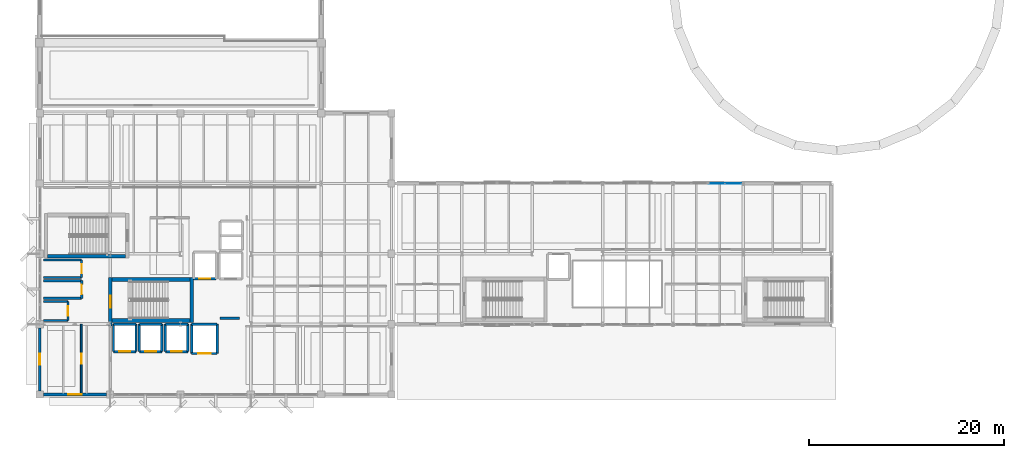
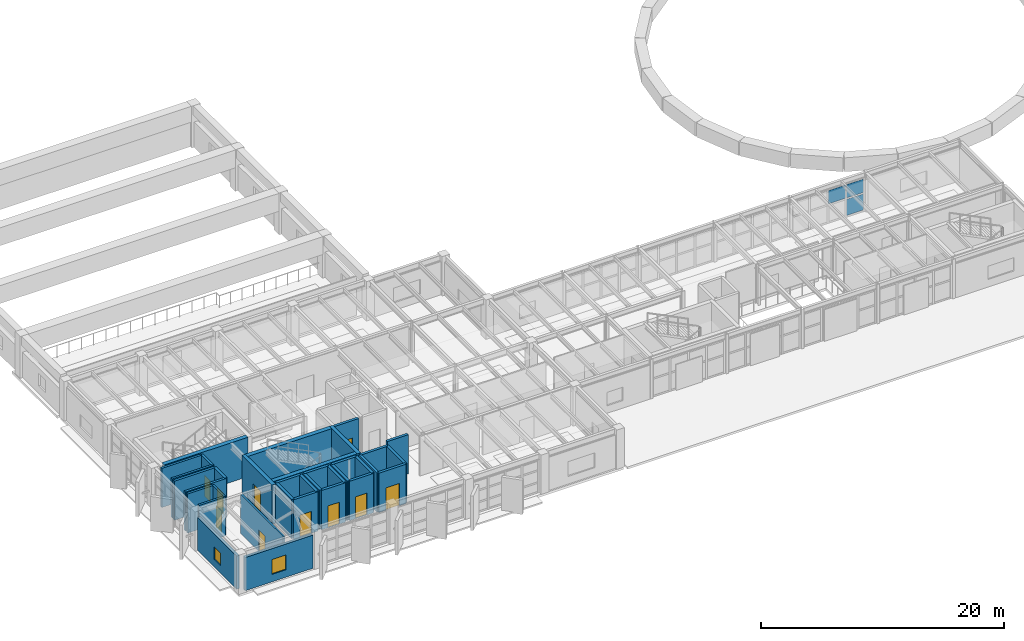
# One storey, part 25 of 37: 35 walls, 10 doors, 3 plates, 2 windows, 12 openings, 1 element without a shape of its own.
"""IFC4 building model written with IfcOpenShell, lengths in metres."""

from ifc_helpers import new_model, si_unit, direction, frame, frame_2d, origin, origin_2d, place, context, subcontext, project, spatial, rectangle, extrude, material, layer, layer_set, type_object, element, fill, aggregate, save


model = new_model("IFC4")

# Units and contexts
model_context = context("Model", 3, precision=1e-05, world=origin(), true_north=direction((0.0, 1.0)))
body_context = subcontext(model_context, "Body", "Model", "MODEL_VIEW")
ifc_project = project(units=[si_unit("LENGTHUNIT", "METRE"), si_unit("AREAUNIT", "SQUARE_METRE"), si_unit("VOLUMEUNIT", "CUBIC_METRE"), si_unit("PLANEANGLEUNIT", "RADIAN"), si_unit("MASSUNIT", "GRAM", prefix="KILO")], contexts=[model_context])

# Site, building, storey
site_placement = place(None, origin())
site = spatial("IfcSite", under=ifc_project, at=site_placement, CompositionType="ELEMENT")
building_placement = place(site_placement, origin())
building = spatial("IfcBuilding", under=site, at=building_placement, Name="Kandorven Conservatory and Botanical Research Centre", CompositionType="ELEMENT")
storey_placement = place(building_placement, frame((0.0, 0.0, 9.0)))
storey = spatial("IfcBuildingStorey", under=building, at=storey_placement, Name="L02", CompositionType="ELEMENT", Elevation=9.0)

# Curtain wall, plates
ifc_material_1 = material(Name="Bronze anodised thermally broken aluminium", Category="aluminium")
ifc_layer_1 = layer(ifc_material_1, 0.179931640625)
ifc_layer_set_1 = layer_set([ifc_layer_1], Name="Bronze anodised thermally broken aluminium")
curtain_wall_type = type_object("IfcCurtainWallType", Name="CW_Unitised", PredefinedType="USERDEFINED", material=ifc_layer_set_1)
curtain_wall_placement = place(storey_placement, origin())
curtain_wall = element("IfcCurtainWall", 1, at=curtain_wall_placement, inside=storey, type_object=curtain_wall_type, Name="Visitor wing unitised curtain wall CW-VIS-N-L02-5", ObjectType="UNITISED GLAZING", PredefinedType="USERDEFINED")
ifc_material_2 = material(Name="Double-glazed solar-control low-E glass", Category="glass")
ifc_layer_2 = layer(ifc_material_2, 0.028076171875)
ifc_layer_set_2 = layer_set([ifc_layer_2], Name="Double-glazed solar-control low-E glass")
plate_type = type_object("IfcPlateType", Name="CW_Panel", PredefinedType="CURTAIN_PANEL", material=ifc_layer_set_2)
plate_1_placement = place(storey_placement, frame((75.268798828125, 27.60009765625, 1.9248046875), z_axis=(0.0, 0.0, 1.0), x_axis=(1.0, 0.0, 0.0)))
plate_1 = element("IfcPlate", 2, at=plate_1_placement, type_object=plate_type, Name="CW-01 panel 3.2", PredefinedType="CURTAIN_PANEL", context=body_context, shape_type="SweptSolid", body=[
    extrude(rectangle(XDim=1.657470703125, YDim=0.028076171875, at=origin_2d()), origin(), (0.0, 0.0, 1.0), 1.344970703125),
])
plate_2_placement = place(storey_placement, frame((76.986328125, 27.60009765625, 0.14990234375), z_axis=(0.0, 0.0, 1.0), x_axis=(1.0, 0.0, 0.0)))
plate_2 = element("IfcPlate", 3, at=plate_2_placement, type_object=plate_type, Name="CW-01 panel 4.1", PredefinedType="CURTAIN_PANEL", context=body_context, shape_type="SweptSolid", body=[
    extrude(rectangle(XDim=1.617431640625, YDim=0.028076171875, at=origin_2d()), origin(), (0.0, 0.0, 1.0), 1.625),
])
plate_3_placement = place(storey_placement, frame((76.986328125, 27.60009765625, 1.9248046875), z_axis=(0.0, 0.0, 1.0), x_axis=(1.0, 0.0, 0.0)))
plate_3 = element("IfcPlate", 4, at=plate_3_placement, type_object=plate_type, Name="CW-01 panel 4.2", PredefinedType="CURTAIN_PANEL", context=body_context, shape_type="SweptSolid", body=[
    extrude(rectangle(XDim=1.617431640625, YDim=0.028076171875, at=origin_2d()), origin(), (0.0, 0.0, 1.0), 1.344970703125),
])
aggregate(curtain_wall, [plate_1, plate_2, plate_3])

# Walls
ifc_material_3 = material(Name="Concrete C40/50 (M50)", Category="concrete")
ifc_layer_3 = layer(ifc_material_3, 0.39990234375)
ifc_layer_set_3 = layer_set([ifc_layer_3], Name="Concrete C40/50 (M50)")
wall_type_1 = type_object("IfcWallType", Name="Wall_CW-RC-1", PredefinedType="SHEAR", material=ifc_layer_set_3)
for number, where, z_axis, x_axis, name in (
    (5, (13.39990234375, 13.574951171875, 0.0), (0.0, 0.0, 1.0), (1.0, 0.0, 0.0), "Core stair shear wall CW-RC-1 ST-T1 L02 side A"),
    (6, (13.39990234375, 17.77490234375, 0.0), (0.0, 0.0, 1.0), (1.0, 0.0, 0.0), "Core stair shear wall CW-RC-1 ST-T1 L02 side B"),
    (7, (14.800048828125, 20.155029296875, 0.0), (0.0, 0.0, 1.0), (-1.0, 0.0, 0.0), "Core stair shear wall CW-RC-1 ST-T2 L02 side B"),
):
    element("IfcWall", number, at=place(storey_placement, frame(where, z_axis=z_axis, x_axis=x_axis)), inside=storey, type_object=wall_type_1, Name=name, PredefinedType="SHEAR", context=body_context, shape_type="SweptSolid", body=[
        extrude(rectangle(XDim=7.97998046875, YDim=0.39990234375, at=frame_2d((3.989990234375, 0.0))), origin(), (0.0, 0.0, 1.0), 3.9599609375),
    ])

# Wall, opening, door
ifc_material_4 = material(Name="Concrete C40/50 (M50)", Category="concrete")
ifc_layer_4 = layer(ifc_material_4, 0.35009765625)
ifc_layer_set_4 = layer_set([ifc_layer_4], Name="Concrete C40/50 (M50)")
wall_type_2 = type_object("IfcWallType", Name="Wall_CW-RC-2", PredefinedType="SHEAR", material=ifc_layer_set_4)
wall_1_placement = place(storey_placement, frame((13.22509765625, 13.0, 0.0), z_axis=(0.0, 0.0, 1.0), x_axis=(0.0, 1.0, 0.0)))
wall_1 = element("IfcWall", 8, at=wall_1_placement, inside=storey, type_object=wall_type_2, Name="Core stair shear wall CW-RC-2 ST-T1 L02 entry", PredefinedType="SHEAR", context=body_context, shape_type="SweptSolid", body=[
    extrude(rectangle(XDim=4.969970703125, YDim=0.35009765625, at=frame_2d((2.48486328125, 0.0))), origin(), (0.0, 0.0, 1.0), 3.9599609375),
])
opening_1_placement = place(wall_1_placement, frame((1.860107421875, 0.0, 0.0)))
opening_1 = element("IfcOpeningElement", 9, at=opening_1_placement, cuts=wall_1, Name="Opening FD-1", PredefinedType="OPENING", context=body_context, shape_type="SweptSolid", body=[
    extrude(rectangle(XDim=1.25, YDim=2.199951171875, at=frame_2d((0.625, 1.10009765625))), frame((0.0, 0.18505859375, 0.0), z_axis=(0.0, -1.0, 0.0), x_axis=(1.0, 0.0, 0.0)), (0.0, 0.0, 1.0), 0.3701171875),
])
ifc_material_5 = material(Name="Galvanised hollow steel fire door assembly", Category="steel")
door_type_1 = type_object("IfcDoorType", Name="Door_FD-1", OperationType="NOTDEFINED", PredefinedType="DOOR", material=ifc_material_5)
door_1_placement = place(opening_1_placement, origin())
door_1 = element("IfcDoor", 10, at=door_1_placement, inside=storey, type_object=door_type_1, Name="Exit stair fire door FD-1 ST-T1 L02", OperationType="SINGLE_SWING_LEFT", OverallHeight=2.199951171875, OverallWidth=1.25, PredefinedType="DOOR", context=body_context, shape_type="SweptSolid", body=[
    extrude(rectangle(XDim=1.25, YDim=2.199951171875, at=frame_2d((0.625, 1.10009765625))), frame((0.0, 0.02490234375, 0.0), z_axis=(0.0, -1.0, 0.0), x_axis=(1.0, 0.0, 0.0)), (0.0, 0.0, 1.0), 0.050048828125),
])
fill(opening_1, door_1)

# Wall
wall_2_placement = place(storey_placement, frame((21.554931640625, 13.3798828125, 0.0), z_axis=(0.0, 0.0, 1.0), x_axis=(0.0, 1.0, 0.0)))
element("IfcWall", 11, at=wall_2_placement, inside=storey, type_object=wall_type_2, Name="Core stair shear wall CW-RC-2 ST-T1 L02 far", PredefinedType="SHEAR", context=body_context, shape_type="SweptSolid", body=[
    extrude(rectangle(XDim=4.590087890625, YDim=0.35009765625, at=frame_2d((2.294921875, 0.0))), origin(), (0.0, 0.0, 1.0), 3.9599609375),
])

# Wall, opening, door
wall_3_placement = place(storey_placement, frame((21.75, 17.85009765625, 0.0), z_axis=(0.0, 0.0, 1.0), x_axis=(1.0, 0.0, 0.0)))
wall_3 = element("IfcWall", 12, at=wall_3_placement, inside=storey, type_object=wall_type_2, Name="Lift shaft wall FFL-1 L02 S", PredefinedType="SHEAR", context=body_context, shape_type="SweptSolid", body=[
    extrude(rectangle(XDim=2.300048828125, YDim=0.25, at=frame_2d((1.14990234375, 0.0))), origin(), (0.0, 0.0, 1.0), 3.9599609375),
])
opening_2_placement = place(wall_3_placement, frame((0.60009765625, 0.0, 0.0)))
opening_2 = element("IfcOpeningElement", 13, at=opening_2_placement, cuts=wall_3, Name="Opening LD-01", PredefinedType="OPENING", context=body_context, shape_type="SweptSolid", body=[
    extrude(rectangle(XDim=1.10009765625, YDim=2.199951171875, at=frame_2d((0.550048828125, 1.10009765625))), frame((0.0, 0.135009765625, 0.0), z_axis=(0.0, -1.0, 0.0), x_axis=(1.0, 0.0, 0.0)), (0.0, 0.0, 1.0), 0.27001953125),
])
ifc_material_6 = material(Name="Anodised aluminium sliding landing door", Category="aluminium")
door_type_2 = type_object("IfcDoorType", Name="Door_LD-01", OperationType="DOUBLE_DOOR_SLIDING", PredefinedType="DOOR", material=ifc_material_6)
door_2_placement = place(opening_2_placement, origin())
door_2 = element("IfcDoor", 14, at=door_2_placement, inside=storey, type_object=door_type_2, Name="Lift landing sliding door LD-01 (FFL-1 L02)", OperationType="DOUBLE_DOOR_SLIDING", OverallHeight=2.199951171875, OverallWidth=1.10009765625, PredefinedType="DOOR", context=body_context, shape_type="SweptSolid", body=[
    extrude(rectangle(XDim=1.10009765625, YDim=2.199951171875, at=frame_2d((0.550048828125, 1.10009765625))), frame((0.0, 0.02490234375, 0.0), z_axis=(0.0, -1.0, 0.0), x_axis=(1.0, 0.0, 0.0)), (0.0, 0.0, 1.0), 0.050048828125),
])
fill(opening_2, door_2)

wall_4_placement = place(storey_placement, frame((13.550048828125, 10.39990234375, 0.0), z_axis=(0.0, 0.0, 1.0), x_axis=(1.0, 0.0, 0.0)))
wall_4 = element("IfcWall", 15, at=wall_4_placement, inside=storey, type_object=wall_type_2, Name="Lift shaft wall PL-1 L02 S", PredefinedType="SHEAR", context=body_context, shape_type="SweptSolid", body=[
    extrude(rectangle(XDim=2.300048828125, YDim=0.25, at=frame_2d((1.14990234375, 0.0))), origin(), (0.0, 0.0, 1.0), 3.9599609375),
])
opening_3_placement = place(wall_4_placement, frame((0.60009765625, 0.0, 0.0)))
opening_3 = element("IfcOpeningElement", 16, at=opening_3_placement, cuts=wall_4, Name="Opening LD-01", PredefinedType="OPENING", context=body_context, shape_type="SweptSolid", body=[
    extrude(rectangle(XDim=1.10009765625, YDim=2.199951171875, at=frame_2d((0.550048828125, 1.10009765625))), frame((0.0, 0.135009765625, 0.0), z_axis=(0.0, -1.0, 0.0), x_axis=(1.0, 0.0, 0.0)), (0.0, 0.0, 1.0), 0.27001953125),
])
door_3_placement = place(opening_3_placement, origin())
door_3 = element("IfcDoor", 17, at=door_3_placement, inside=storey, type_object=door_type_2, Name="Lift landing sliding door LD-01 (PL-1 L02)", OperationType="DOUBLE_DOOR_SLIDING", OverallHeight=2.199951171875, OverallWidth=1.10009765625, PredefinedType="DOOR", context=body_context, shape_type="SweptSolid", body=[
    extrude(rectangle(XDim=1.10009765625, YDim=2.199951171875, at=frame_2d((0.550048828125, 1.10009765625))), frame((0.0, 0.02490234375, 0.0), z_axis=(0.0, -1.0, 0.0), x_axis=(1.0, 0.0, 0.0)), (0.0, 0.0, 1.0), 0.050048828125),
])
fill(opening_3, door_3)

# Walls
wall_5_placement = place(storey_placement, frame((13.550048828125, 13.199951171875, 0.0), z_axis=(0.0, 0.0, 1.0), x_axis=(1.0, 0.0, 0.0)))
element("IfcWall", 18, at=wall_5_placement, inside=storey, type_object=wall_type_2, Name="Lift shaft wall PL-1 L02 N", PredefinedType="SHEAR", context=body_context, shape_type="SweptSolid", body=[
    extrude(rectangle(XDim=2.300048828125, YDim=0.25, at=frame_2d((1.14990234375, 0.0))), origin(), (0.0, 0.0, 1.0), 3.9599609375),
])
for number, where, z_axis, x_axis, name in (
    (19, (13.550048828125, 10.39990234375, 0.0), (0.0, 0.0, 1.0), (0.0, 1.0, 0.0), "Lift shaft wall PL-1 L02 W"),
    (20, (15.85009765625, 10.39990234375, 0.0), (0.0, 0.0, 1.0), (0.0, 1.0, 0.0), "Lift shaft wall PL-1 L02 E"),
):
    element("IfcWall", number, at=place(storey_placement, frame(where, z_axis=z_axis, x_axis=x_axis)), inside=storey, type_object=wall_type_2, Name=name, PredefinedType="SHEAR", context=body_context, shape_type="SweptSolid", body=[
        extrude(rectangle(XDim=2.800048828125, YDim=0.25, at=frame_2d((1.39990234375, 0.0))), origin(), (0.0, 0.0, 1.0), 3.9599609375),
    ])

# Wall, opening, door
wall_6_placement = place(storey_placement, frame((16.199951171875, 10.39990234375, 0.0), z_axis=(0.0, 0.0, 1.0), x_axis=(1.0, 0.0, 0.0)))
wall_6 = element("IfcWall", 21, at=wall_6_placement, inside=storey, type_object=wall_type_2, Name="Lift shaft wall PL-2 L02 S", PredefinedType="SHEAR", context=body_context, shape_type="SweptSolid", body=[
    extrude(rectangle(XDim=2.300048828125, YDim=0.25, at=frame_2d((1.14990234375, 0.0))), origin(), (0.0, 0.0, 1.0), 3.9599609375),
])
opening_4_placement = place(wall_6_placement, frame((0.60009765625, 0.0, 0.0)))
opening_4 = element("IfcOpeningElement", 22, at=opening_4_placement, cuts=wall_6, Name="Opening LD-01", PredefinedType="OPENING", context=body_context, shape_type="SweptSolid", body=[
    extrude(rectangle(XDim=1.10009765625, YDim=2.199951171875, at=frame_2d((0.550048828125, 1.10009765625))), frame((0.0, 0.135009765625, 0.0), z_axis=(0.0, -1.0, 0.0), x_axis=(1.0, 0.0, 0.0)), (0.0, 0.0, 1.0), 0.27001953125),
])
door_4_placement = place(opening_4_placement, origin())
door_4 = element("IfcDoor", 23, at=door_4_placement, inside=storey, type_object=door_type_2, Name="Lift landing sliding door LD-01 (PL-2 L02)", OperationType="DOUBLE_DOOR_SLIDING", OverallHeight=2.199951171875, OverallWidth=1.10009765625, PredefinedType="DOOR", context=body_context, shape_type="SweptSolid", body=[
    extrude(rectangle(XDim=1.10009765625, YDim=2.199951171875, at=frame_2d((0.550048828125, 1.10009765625))), frame((0.0, 0.02490234375, 0.0), z_axis=(0.0, -1.0, 0.0), x_axis=(1.0, 0.0, 0.0)), (0.0, 0.0, 1.0), 0.050048828125),
])
fill(opening_4, door_4)

# Walls
wall_7_placement = place(storey_placement, frame((16.199951171875, 13.199951171875, 0.0), z_axis=(0.0, 0.0, 1.0), x_axis=(1.0, 0.0, 0.0)))
element("IfcWall", 24, at=wall_7_placement, inside=storey, type_object=wall_type_2, Name="Lift shaft wall PL-2 L02 N", PredefinedType="SHEAR", context=body_context, shape_type="SweptSolid", body=[
    extrude(rectangle(XDim=2.300048828125, YDim=0.25, at=frame_2d((1.14990234375, 0.0))), origin(), (0.0, 0.0, 1.0), 3.9599609375),
])
for number, where, z_axis, x_axis, name in (
    (25, (16.199951171875, 10.39990234375, 0.0), (0.0, 0.0, 1.0), (0.0, 1.0, 0.0), "Lift shaft wall PL-2 L02 W"),
    (26, (18.5, 10.39990234375, 0.0), (0.0, 0.0, 1.0), (0.0, 1.0, 0.0), "Lift shaft wall PL-2 L02 E"),
):
    element("IfcWall", number, at=place(storey_placement, frame(where, z_axis=z_axis, x_axis=x_axis)), inside=storey, type_object=wall_type_2, Name=name, PredefinedType="SHEAR", context=body_context, shape_type="SweptSolid", body=[
        extrude(rectangle(XDim=2.800048828125, YDim=0.25, at=frame_2d((1.39990234375, 0.0))), origin(), (0.0, 0.0, 1.0), 3.9599609375),
    ])

# Wall, opening, door
wall_8_placement = place(storey_placement, frame((18.85009765625, 10.39990234375, 0.0), z_axis=(0.0, 0.0, 1.0), x_axis=(1.0, 0.0, 0.0)))
wall_8 = element("IfcWall", 27, at=wall_8_placement, inside=storey, type_object=wall_type_2, Name="Lift shaft wall PL-3 L02 S", PredefinedType="SHEAR", context=body_context, shape_type="SweptSolid", body=[
    extrude(rectangle(XDim=2.2998046875, YDim=0.25, at=frame_2d((1.14990234375, 0.0))), origin(), (0.0, 0.0, 1.0), 3.9599609375),
])
opening_5_placement = place(wall_8_placement, frame((0.60009765625, 0.0, 0.0)))
opening_5 = element("IfcOpeningElement", 28, at=opening_5_placement, cuts=wall_8, Name="Opening LD-01", PredefinedType="OPENING", context=body_context, shape_type="SweptSolid", body=[
    extrude(rectangle(XDim=1.10009765625, YDim=2.199951171875, at=frame_2d((0.550048828125, 1.10009765625))), frame((0.0, 0.135009765625, 0.0), z_axis=(0.0, -1.0, 0.0), x_axis=(1.0, 0.0, 0.0)), (0.0, 0.0, 1.0), 0.27001953125),
])
door_5_placement = place(opening_5_placement, origin())
door_5 = element("IfcDoor", 29, at=door_5_placement, inside=storey, type_object=door_type_2, Name="Lift landing sliding door LD-01 (PL-3 L02)", OperationType="DOUBLE_DOOR_SLIDING", OverallHeight=2.199951171875, OverallWidth=1.10009765625, PredefinedType="DOOR", context=body_context, shape_type="SweptSolid", body=[
    extrude(rectangle(XDim=1.10009765625, YDim=2.199951171875, at=frame_2d((0.550048828125, 1.10009765625))), frame((0.0, 0.02490234375, 0.0), z_axis=(0.0, -1.0, 0.0), x_axis=(1.0, 0.0, 0.0)), (0.0, 0.0, 1.0), 0.050048828125),
])
fill(opening_5, door_5)

# Walls
wall_9_placement = place(storey_placement, frame((18.85009765625, 13.199951171875, 0.0), z_axis=(0.0, 0.0, 1.0), x_axis=(1.0, 0.0, 0.0)))
element("IfcWall", 30, at=wall_9_placement, inside=storey, type_object=wall_type_2, Name="Lift shaft wall PL-3 L02 N", PredefinedType="SHEAR", context=body_context, shape_type="SweptSolid", body=[
    extrude(rectangle(XDim=2.2998046875, YDim=0.25, at=frame_2d((1.14990234375, 0.0))), origin(), (0.0, 0.0, 1.0), 3.9599609375),
])
for number, where, z_axis, x_axis, name in (
    (31, (18.85009765625, 10.39990234375, 0.0), (0.0, 0.0, 1.0), (0.0, 1.0, 0.0), "Lift shaft wall PL-3 L02 W"),
    (32, (21.14990234375, 10.39990234375, 0.0), (0.0, 0.0, 1.0), (0.0, 1.0, 0.0), "Lift shaft wall PL-3 L02 E"),
):
    element("IfcWall", number, at=place(storey_placement, frame(where, z_axis=z_axis, x_axis=x_axis)), inside=storey, type_object=wall_type_2, Name=name, PredefinedType="SHEAR", context=body_context, shape_type="SweptSolid", body=[
        extrude(rectangle(XDim=2.800048828125, YDim=0.25, at=frame_2d((1.39990234375, 0.0))), origin(), (0.0, 0.0, 1.0), 3.9599609375),
    ])

# Wall, opening, door
wall_10_placement = place(storey_placement, frame((21.550048828125, 10.199951171875, 0.0), z_axis=(0.0, 0.0, 1.0), x_axis=(1.0, 0.0, 0.0)))
wall_10 = element("IfcWall", 33, at=wall_10_placement, inside=storey, type_object=wall_type_2, Name="Lift shaft wall GL-1 L02 S", PredefinedType="SHEAR", context=body_context, shape_type="SweptSolid", body=[
    extrude(rectangle(XDim=2.599853515625, YDim=0.25, at=frame_2d((1.2998046875, 0.0))), origin(), (0.0, 0.0, 1.0), 3.9599609375),
])
opening_6_placement = place(wall_10_placement, frame((0.64990234375, 0.0, 0.0)))
opening_6 = element("IfcOpeningElement", 34, at=opening_6_placement, cuts=wall_10, Name="Opening LD-02", PredefinedType="OPENING", context=body_context, shape_type="SweptSolid", body=[
    extrude(rectangle(XDim=1.300048828125, YDim=2.25, at=frame_2d((0.64990234375, 1.125))), frame((0.0, 0.135009765625, 0.0), z_axis=(0.0, -1.0, 0.0), x_axis=(1.0, 0.0, 0.0)), (0.0, 0.0, 1.0), 0.27001953125),
])
ifc_material_7 = material(Name="Anodised aluminium sliding landing door", Category="aluminium")
door_type_3 = type_object("IfcDoorType", Name="Door_LD-02", OperationType="DOUBLE_DOOR_SLIDING", PredefinedType="DOOR", material=ifc_material_7)
door_6_placement = place(opening_6_placement, origin())
door_6 = element("IfcDoor", 35, at=door_6_placement, inside=storey, type_object=door_type_3, Name="Lift landing sliding door LD-02 (GL-1 L02)", OperationType="DOUBLE_DOOR_SLIDING", OverallHeight=2.25, OverallWidth=1.300048828125, PredefinedType="DOOR", context=body_context, shape_type="SweptSolid", body=[
    extrude(rectangle(XDim=1.300048828125, YDim=2.25, at=frame_2d((0.64990234375, 1.125))), frame((0.0, 0.02490234375, 0.0), z_axis=(0.0, -1.0, 0.0), x_axis=(1.0, 0.0, 0.0)), (0.0, 0.0, 1.0), 0.050048828125),
])
fill(opening_6, door_6)

# Walls
wall_11_placement = place(storey_placement, frame((21.550048828125, 13.199951171875, 0.0), z_axis=(0.0, 0.0, 1.0), x_axis=(1.0, 0.0, 0.0)))
element("IfcWall", 36, at=wall_11_placement, inside=storey, type_object=wall_type_2, Name="Lift shaft wall GL-1 L02 N", PredefinedType="SHEAR", context=body_context, shape_type="SweptSolid", body=[
    extrude(rectangle(XDim=2.599853515625, YDim=0.25, at=frame_2d((1.2998046875, 0.0))), origin(), (0.0, 0.0, 1.0), 3.9599609375),
])
for number, where, z_axis, x_axis, name in (
    (37, (21.550048828125, 10.199951171875, 0.0), (0.0, 0.0, 1.0), (0.0, 1.0, 0.0), "Lift shaft wall GL-1 L02 W"),
    (38, (24.14990234375, 10.199951171875, 0.0), (0.0, 0.0, 1.0), (0.0, 1.0, 0.0), "Lift shaft wall GL-1 L02 E"),
):
    element("IfcWall", number, at=place(storey_placement, frame(where, z_axis=z_axis, x_axis=x_axis)), inside=storey, type_object=wall_type_2, Name=name, PredefinedType="SHEAR", context=body_context, shape_type="SweptSolid", body=[
        extrude(rectangle(XDim=3.0, YDim=0.25, at=frame_2d((1.5, 0.0))), origin(), (0.0, 0.0, 1.0), 3.9599609375),
    ])

# Wall, opening, window
ifc_material_8 = material(Name="Concrete C32/40 (M40)", Category="concrete")
ifc_layer_5 = layer(ifc_material_8, 0.300048828125)
ifc_layer_set_5 = layer_set([ifc_layer_5], Name="Concrete C32/40 (M40)")
wall_type_3 = type_object("IfcWallType", Name="Wall_EW-04", PredefinedType="STANDARD", material=ifc_layer_set_5)
wall_12_placement = place(storey_placement, frame((6.375, 6.0, 0.0), z_axis=(0.0, 0.0, 1.0), x_axis=(1.0, 0.0, 0.0)))
wall_12 = element("IfcWall", 39, at=wall_12_placement, inside=storey, type_object=wall_type_3, Name="Tower concrete facade wall EW-04 S L02", PredefinedType="STANDARD", context=body_context, shape_type="SweptSolid", body=[
    extrude(rectangle(XDim=6.449951171875, YDim=0.300048828125, at=frame_2d((3.22509765625, 0.0))), origin(), (0.0, 0.0, 1.0), 3.340087890625),
])
opening_7_placement = place(wall_12_placement, frame((2.550048828125, 0.0, 0.75)))
opening_7 = element("IfcOpeningElement", 40, at=opening_7_placement, cuts=wall_12, Name="Opening W-40", PredefinedType="OPENING", context=body_context, shape_type="SweptSolid", body=[
    extrude(rectangle(XDim=1.35009765625, YDim=1.5, at=frame_2d((0.675048828125, 0.75))), frame((0.0, 0.159912109375, 0.0), z_axis=(0.0, -1.0, 0.0), x_axis=(1.0, 0.0, 0.0)), (0.0, 0.0, 1.0), 0.320068359375),
])
ifc_material_9 = material(Name="Double-glazed solar-control low-E glass", Category="glass")
window_type_1 = type_object("IfcWindowType", Name="Win_W-40", PartitioningType="DOUBLE_PANEL_VERTICAL", PredefinedType="WINDOW", material=ifc_material_9)
window_1_placement = place(opening_7_placement, origin())
window_1 = element("IfcWindow", 41, at=window_1_placement, inside=storey, type_object=window_type_1, Name="Tower recessed solar window W-40", OverallHeight=1.5, OverallWidth=1.35009765625, PartitioningType="SINGLE_PANEL", PredefinedType="WINDOW", context=body_context, shape_type="SweptSolid", body=[
    extrude(rectangle(XDim=1.35009765625, YDim=1.5, at=frame_2d((0.675048828125, 0.75))), frame((0.0, 0.030029296875, 0.0), z_axis=(0.0, -1.0, 0.0), x_axis=(1.0, 0.0, 0.0)), (0.0, 0.0, 1.0), 0.06005859375),
])
fill(opening_7, window_1)

ifc_material_10 = material(Name="Concrete C32/40 (M40)", Category="concrete")
ifc_layer_6 = layer(ifc_material_10, 0.260009765625)
ifc_layer_set_6 = layer_set([ifc_layer_6], Name="Concrete C32/40 (M40)")
wall_type_4 = type_object("IfcWallType", Name="Wall_EW-06", PredefinedType="STANDARD", material=ifc_layer_set_6)
wall_13_placement = place(storey_placement, frame((6.0, 6.375, 0.0), z_axis=(0.0, 0.0, 1.0), x_axis=(0.0, 1.0, 0.0)))
wall_13 = element("IfcWall", 42, at=wall_13_placement, inside=storey, type_object=wall_type_4, Name="Tower concrete facade wall EW-06 W L02", PredefinedType="STANDARD", context=body_context, shape_type="SweptSolid", body=[
    extrude(rectangle(XDim=6.449951171875, YDim=0.260009765625, at=frame_2d((3.22509765625, 0.0))), origin(), (0.0, 0.0, 1.0), 3.340087890625),
])
opening_8_placement = place(wall_13_placement, frame((2.675048828125, 0.0, 0.75)))
opening_8 = element("IfcOpeningElement", 43, at=opening_8_placement, cuts=wall_13, Name="Opening W-45", PredefinedType="OPENING", context=body_context, shape_type="SweptSolid", body=[
    extrude(rectangle(XDim=1.10009765625, YDim=1.25, at=frame_2d((0.550048828125, 0.625))), frame((0.0, 0.139892578125, 0.0), z_axis=(0.0, -1.0, 0.0), x_axis=(1.0, 0.0, 0.0)), (0.0, 0.0, 1.0), 0.280029296875),
])
ifc_material_11 = material(Name="Double-glazed solar-control low-E glass", Category="glass")
window_type_2 = type_object("IfcWindowType", Name="Win_W-45", PartitioningType="DOUBLE_PANEL_VERTICAL", PredefinedType="WINDOW", material=ifc_material_11)
window_2_placement = place(opening_8_placement, origin())
window_2 = element("IfcWindow", 44, at=window_2_placement, inside=storey, type_object=window_type_2, Name="Tower recessed solar window W-45", OverallHeight=1.25, OverallWidth=1.10009765625, PartitioningType="SINGLE_PANEL", PredefinedType="WINDOW", context=body_context, shape_type="SweptSolid", body=[
    extrude(rectangle(XDim=1.10009765625, YDim=1.25, at=frame_2d((0.550048828125, 0.625))), frame((0.0, 0.030029296875, 0.0), z_axis=(0.0, -1.0, 0.0), x_axis=(1.0, 0.0, 0.0)), (0.0, 0.0, 1.0), 0.06005859375),
])
fill(opening_8, window_2)

# Wall, opening, door
ifc_material_12 = material(Name="Autoclaved aerated concrete blockwork masonry", Category="masonry")
ifc_layer_7 = layer(ifc_material_12, 0.1650390625)
ifc_layer_set_7 = layer_set([ifc_layer_7], Name="Autoclaved aerated concrete blockwork masonry")
wall_type_5 = type_object("IfcWallType", Name="Wall_IW-04", PredefinedType="PARTITIONING", material=ifc_layer_set_7)
wall_14_placement = place(storey_placement, frame((10.25, 6.14990234375, 0.0), z_axis=(0.0, 0.0, 1.0), x_axis=(0.0, 1.0, 0.0)))
wall_14 = element("IfcWall", 45, at=wall_14_placement, inside=storey, type_object=wall_type_5, Name="Interior partition wall IW-04 (Botanical Chemotaxonomy Research Laboratory L02)", PredefinedType="PARTITIONING", context=body_context, shape_type="SweptSolid", body=[
    extrude(rectangle(XDim=7.050048828125, YDim=0.1650390625, at=frame_2d((3.52490234375, 0.0))), origin(), (0.0, 0.0, 1.0), 3.93994140625),
])
opening_9_placement = place(wall_14_placement, frame((3.0, 0.0, 0.0)))
opening_9 = element("IfcOpeningElement", 46, at=opening_9_placement, cuts=wall_14, Name="Opening D-03", PredefinedType="OPENING", context=body_context, shape_type="SweptSolid", body=[
    extrude(rectangle(XDim=1.050048828125, YDim=2.14990234375, at=frame_2d((0.52490234375, 1.074951171875))), frame((0.0, 0.092529296875, 0.0), z_axis=(0.0, -1.0, 0.0), x_axis=(1.0, 0.0, 0.0)), (0.0, 0.0, 1.0), 0.18505859375),
])
ifc_material_13 = material(Name="Solid core acoustic teak-veneered timber leaf", Category="wood")
door_type_4 = type_object("IfcDoorType", Name="Door_D-03", OperationType="NOTDEFINED", PredefinedType="DOOR", material=ifc_material_13)
door_7_placement = place(opening_9_placement, origin())
door_7 = element("IfcDoor", 47, at=door_7_placement, inside=storey, type_object=door_type_4, Name="Interior door D-03 to Botanical Chemotaxonomy Research Laboratory L02", OperationType="SINGLE_SWING_LEFT", OverallHeight=2.14990234375, OverallWidth=1.050048828125, PredefinedType="DOOR", context=body_context, shape_type="SweptSolid", body=[
    extrude(rectangle(XDim=1.050048828125, YDim=2.14990234375, at=frame_2d((0.52490234375, 1.074951171875))), frame((0.0, 0.02490234375, 0.0), z_axis=(0.0, -1.0, 0.0), x_axis=(1.0, 0.0, 0.0)), (0.0, 0.0, 1.0), 0.050048828125),
])
fill(opening_9, door_7)

# Wall
ifc_material_14 = material(Name="Concrete C32/40 (M40)", Category="concrete")
ifc_layer_8 = layer(ifc_material_14, 0.25)
ifc_layer_set_8 = layer_set([ifc_layer_8], Name="Concrete C32/40 (M40)")
wall_type_6 = type_object("IfcWallType", Name="Wall_IW-FR-1", PredefinedType="SOLIDWALL", material=ifc_layer_set_8)
wall_15_placement = place(storey_placement, frame((24.449951171875, 13.820068359375, 0.0), z_axis=(0.0, 0.0, 1.0), x_axis=(1.0, 0.0, 0.0)))
element("IfcWall", 48, at=wall_15_placement, inside=storey, type_object=wall_type_6, Name="Interior fire partition wall IW-FR-1 (Firefighting Lift Lobby L02)", PredefinedType="SOLIDWALL", context=body_context, shape_type="SweptSolid", body=[
    extrude(rectangle(XDim=2.0, YDim=0.25, at=frame_2d((1.0, 0.0))), origin(), (0.0, 0.0, 1.0), 3.93994140625),
])

# Wall, opening, door
ifc_material_15 = material(Name="Autoclaved aerated concrete blockwork masonry", Category="masonry")
ifc_layer_9 = layer(ifc_material_15, 0.22998046875)
ifc_layer_set_9 = layer_set([ifc_layer_9], Name="Autoclaved aerated concrete blockwork masonry")
wall_type_7 = type_object("IfcWallType", Name="Wall_PW-PL-1", PredefinedType="PLUMBINGWALL", material=ifc_layer_set_9)
wall_16_placement = place(storey_placement, frame((10.300048828125, 15.85009765625, 0.0), z_axis=(0.0, 0.0, 1.0), x_axis=(0.0, 1.0, 0.0)))
wall_16 = element("IfcWall", 49, at=wall_16_placement, inside=storey, type_object=wall_type_7, Name="Interior partition wall PW-PL-1 (Public Female WC L02)", PredefinedType="PLUMBINGWALL", context=body_context, shape_type="SweptSolid", body=[
    extrude(rectangle(XDim=1.7998046875, YDim=0.22998046875, at=frame_2d((0.89990234375, 0.0))), origin(), (0.0, 0.0, 1.0), 3.93994140625),
])
opening_10_placement = place(wall_16_placement, frame((0.409912109375, 0.0, 0.0)))
opening_10 = element("IfcOpeningElement", 50, at=opening_10_placement, cuts=wall_16, Name="Opening D-12", PredefinedType="OPENING", context=body_context, shape_type="SweptSolid", body=[
    extrude(rectangle(XDim=0.97998046875, YDim=2.10009765625, at=frame_2d((0.489990234375, 1.050048828125))), frame((0.0, 0.125, 0.0), z_axis=(0.0, -1.0, 0.0), x_axis=(1.0, 0.0, 0.0)), (0.0, 0.0, 1.0), 0.25),
])
ifc_material_16 = material(Name="Solid core acoustic teak-veneered timber leaf", Category="wood")
door_type_5 = type_object("IfcDoorType", Name="Door_D-12", OperationType="NOTDEFINED", PredefinedType="DOOR", material=ifc_material_16)
door_8_placement = place(opening_10_placement, origin())
door_8 = element("IfcDoor", 51, at=door_8_placement, inside=storey, type_object=door_type_5, Name="Interior door D-12 to Public Female WC L02", OperationType="SINGLE_SWING_RIGHT", OverallHeight=2.10009765625, OverallWidth=0.97998046875, PredefinedType="DOOR", context=body_context, shape_type="SweptSolid", body=[
    extrude(rectangle(XDim=0.97998046875, YDim=2.10009765625, at=frame_2d((0.489990234375, 1.050048828125))), frame((0.0, 0.02490234375, 0.0), z_axis=(0.0, -1.0, 0.0), x_axis=(1.0, 0.0, 0.0)), (0.0, 0.0, 1.0), 0.050048828125),
])
fill(opening_10, door_8)

# Walls
for number, where, z_axis, x_axis, name in (
    (52, (6.39990234375, 15.85009765625, 0.0), (0.0, 0.0, 1.0), (1.0, 0.0, 0.0), "Sanitary enclosure wall PW-PL-1 (Public Female WC L02 S)"),
    (53, (6.39990234375, 17.64990234375, 0.0), (0.0, 0.0, 1.0), (1.0, 0.0, 0.0), "Sanitary enclosure wall PW-PL-1 (Public Female WC L02 N)"),
):
    element("IfcWall", number, at=place(storey_placement, frame(where, z_axis=z_axis, x_axis=x_axis)), inside=storey, type_object=wall_type_7, Name=name, PredefinedType="PLUMBINGWALL", context=body_context, shape_type="SweptSolid", body=[
        extrude(rectangle(XDim=3.900146484375, YDim=0.22998046875, at=frame_2d((1.9501953125, 0.0))), origin(), (0.0, 0.0, 1.0), 3.93994140625),
    ])

# Wall, opening, door
ifc_material_17 = material(Name="Autoclaved aerated concrete blockwork masonry", Category="masonry")
ifc_layer_10 = layer(ifc_material_17, 0.205078125)
ifc_layer_set_10 = layer_set([ifc_layer_10], Name="Autoclaved aerated concrete blockwork masonry")
wall_type_8 = type_object("IfcWallType", Name="Wall_PW-PL-2", PredefinedType="PLUMBINGWALL", material=ifc_layer_set_10)
wall_17_placement = place(storey_placement, frame((8.89990234375, 13.60009765625, 0.0), z_axis=(0.0, 0.0, 1.0), x_axis=(0.0, 1.0, 0.0)))
wall_17 = element("IfcWall", 54, at=wall_17_placement, inside=storey, type_object=wall_type_8, Name="Interior partition wall PW-PL-2 (Accessible WC L02)", PredefinedType="PLUMBINGWALL", context=body_context, shape_type="SweptSolid", body=[
    extrude(rectangle(XDim=1.89990234375, YDim=0.205078125, at=frame_2d((0.949951171875, 0.0))), origin(), (0.0, 0.0, 1.0), 3.93994140625),
])
opening_11_placement = place(wall_17_placement, frame((0.47509765625, 0.0, 0.0)))
opening_11 = element("IfcOpeningElement", 55, at=opening_11_placement, cuts=wall_17, Name="Opening D-01", PredefinedType="OPENING", context=body_context, shape_type="SweptSolid", body=[
    extrude(rectangle(XDim=0.949951171875, YDim=2.14990234375, at=frame_2d((0.47509765625, 1.074951171875))), frame((0.0, 0.112548828125, 0.0), z_axis=(0.0, -1.0, 0.0), x_axis=(1.0, 0.0, 0.0)), (0.0, 0.0, 1.0), 0.22509765625),
])
ifc_material_18 = material(Name="Solid core acoustic teak-veneered timber leaf", Category="wood")
door_type_6 = type_object("IfcDoorType", Name="Door_D-01", OperationType="NOTDEFINED", PredefinedType="DOOR", material=ifc_material_18)
door_9_placement = place(opening_11_placement, frame((0.949951171875, 0.0, 0.0), z_axis=(0.0, 0.0, 1.0), x_axis=(-1.0, 0.0, 0.0)))
door_9 = element("IfcDoor", 56, at=door_9_placement, inside=storey, type_object=door_type_6, Name="Interior door D-01 to Accessible WC L02", OperationType="SINGLE_SWING_LEFT", OverallHeight=2.14990234375, OverallWidth=0.949951171875, PredefinedType="DOOR", context=body_context, shape_type="SweptSolid", body=[
    extrude(rectangle(XDim=0.949951171875, YDim=2.14990234375, at=frame_2d((0.47509765625, 1.074951171875))), frame((0.0, 0.02490234375, 0.0), z_axis=(0.0, -1.0, 0.0), x_axis=(1.0, 0.0, 0.0)), (0.0, 0.0, 1.0), 0.050048828125),
])
fill(opening_11, door_9)

# Walls
for number, where, z_axis, x_axis, name in (
    (57, (6.39990234375, 13.60009765625, 0.0), (0.0, 0.0, 1.0), (1.0, 0.0, 0.0), "Sanitary enclosure wall PW-PL-2 (Accessible WC L02 S)"),
    (58, (6.39990234375, 15.5, 0.0), (0.0, 0.0, 1.0), (1.0, 0.0, 0.0), "Sanitary enclosure wall PW-PL-2 (Accessible WC L02 N)"),
):
    element("IfcWall", number, at=place(storey_placement, frame(where, z_axis=z_axis, x_axis=x_axis)), inside=storey, type_object=wall_type_8, Name=name, PredefinedType="PLUMBINGWALL", context=body_context, shape_type="SweptSolid", body=[
        extrude(rectangle(XDim=2.5, YDim=0.205078125, at=frame_2d((1.25, 0.0))), origin(), (0.0, 0.0, 1.0), 3.93994140625),
    ])

# Wall, opening, door
wall_18_placement = place(storey_placement, frame((10.300048828125, 18.0, 0.0), z_axis=(0.0, 0.0, 1.0), x_axis=(0.0, 1.0, 0.0)))
wall_18 = element("IfcWall", 59, at=wall_18_placement, inside=storey, type_object=wall_type_8, Name="Interior partition wall PW-PL-2 (Public Male WC L02)", PredefinedType="PLUMBINGWALL", context=body_context, shape_type="SweptSolid", body=[
    extrude(rectangle(XDim=1.75, YDim=0.205078125, at=frame_2d((0.875, 0.0))), origin(), (0.0, 0.0, 1.0), 3.93994140625),
])
opening_12_placement = place(wall_18_placement, frame((0.4150390625, 0.0, 0.0)))
opening_12 = element("IfcOpeningElement", 60, at=opening_12_placement, cuts=wall_18, Name="Opening D-11", PredefinedType="OPENING", context=body_context, shape_type="SweptSolid", body=[
    extrude(rectangle(XDim=0.919921875, YDim=2.10009765625, at=frame_2d((0.4599609375, 1.050048828125))), frame((0.0, 0.112548828125, 0.0), z_axis=(0.0, -1.0, 0.0), x_axis=(1.0, 0.0, 0.0)), (0.0, 0.0, 1.0), 0.22509765625),
])
ifc_material_19 = material(Name="Solid core acoustic teak-veneered timber leaf", Category="wood")
door_type_7 = type_object("IfcDoorType", Name="Door_D-11", OperationType="NOTDEFINED", PredefinedType="DOOR", material=ifc_material_19)
door_10_placement = place(opening_12_placement, origin())
door_10 = element("IfcDoor", 61, at=door_10_placement, inside=storey, type_object=door_type_7, Name="Interior door D-11 to Public Male WC L02", OperationType="SINGLE_SWING_LEFT", OverallHeight=2.10009765625, OverallWidth=0.919921875, PredefinedType="DOOR", context=body_context, shape_type="SweptSolid", body=[
    extrude(rectangle(XDim=0.919921875, YDim=2.10009765625, at=frame_2d((0.4599609375, 1.050048828125))), frame((0.0, 0.02490234375, 0.0), z_axis=(0.0, -1.0, 0.0), x_axis=(1.0, 0.0, 0.0)), (0.0, 0.0, 1.0), 0.050048828125),
])
fill(opening_12, door_10)

# Walls
for number, where, z_axis, x_axis, name in (
    (62, (6.39990234375, 18.0, 0.0), (0.0, 0.0, 1.0), (1.0, 0.0, 0.0), "Sanitary enclosure wall PW-PL-2 (Public Male WC L02 S)"),
    (63, (6.39990234375, 19.75, 0.0), (0.0, 0.0, 1.0), (1.0, 0.0, 0.0), "Sanitary enclosure wall PW-PL-2 (Public Male WC L02 N)"),
):
    element("IfcWall", number, at=place(storey_placement, frame(where, z_axis=z_axis, x_axis=x_axis)), inside=storey, type_object=wall_type_8, Name=name, PredefinedType="PLUMBINGWALL", context=body_context, shape_type="SweptSolid", body=[
        extrude(rectangle(XDim=3.900146484375, YDim=0.205078125, at=frame_2d((1.9501953125, 0.0))), origin(), (0.0, 0.0, 1.0), 3.93994140625),
    ])

save(model, "model.ifc")
